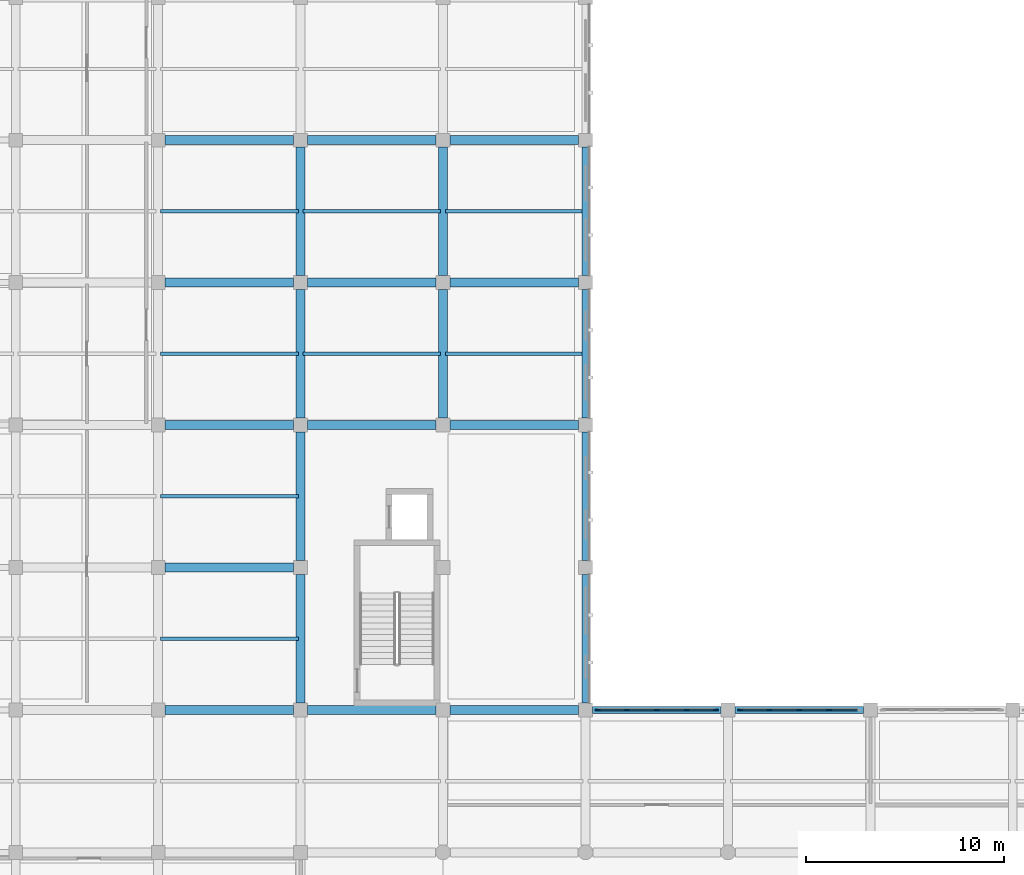
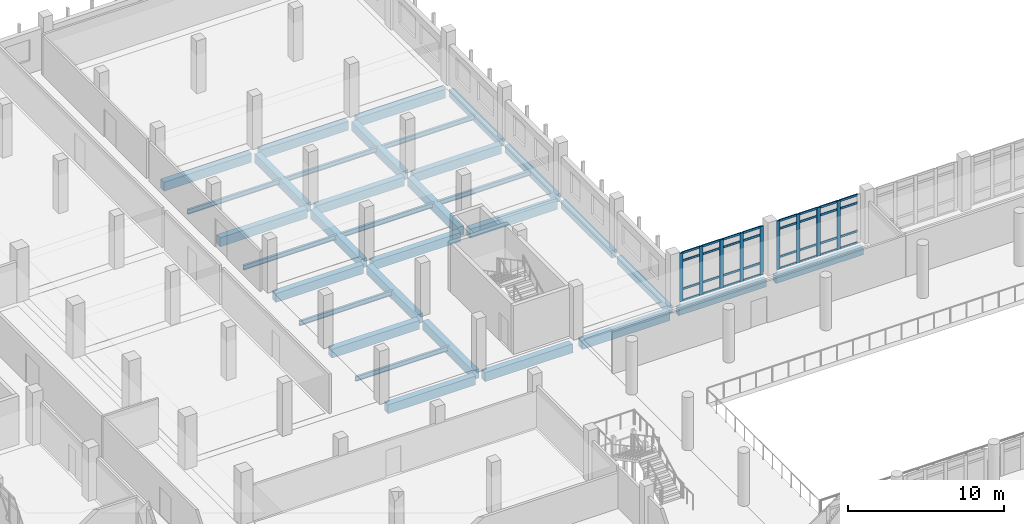
# One storey, part 17 of 57: 41 members, 33 beams, 2 elements without a shape of their own.
"""IFC4 building model written with IfcOpenShell, lengths in metres."""

from ifc_helpers import new_model, si_unit, direction, frame, origin, origin_2d, place, context, subcontext, project, spatial, rectangle, i_section, extrude, material, layer, layer_set, material_profile, profile_set, type_object, element, aggregate, save


model = new_model("IFC4")

# Units and contexts
model_context = context("Model", 3, precision=1e-05, world=origin(), true_north=direction((0.0, 1.0)))
body_context = subcontext(model_context, "Body", "Model", "MODEL_VIEW")
ifc_project = project(units=[si_unit("LENGTHUNIT", "METRE"), si_unit("AREAUNIT", "SQUARE_METRE"), si_unit("VOLUMEUNIT", "CUBIC_METRE"), si_unit("PLANEANGLEUNIT", "RADIAN"), si_unit("MASSUNIT", "GRAM", prefix="KILO")], contexts=[model_context])

# Site, building, storey
site_placement = place(None, origin())
site = spatial("IfcSite", under=ifc_project, at=site_placement, CompositionType="ELEMENT")
building_placement = place(site_placement, origin())
building = spatial("IfcBuilding", under=site, at=building_placement, Name="Valkovuoma Quantum and Materials Research Institute", CompositionType="ELEMENT")
storey_placement = place(building_placement, frame((0.0, 0.0, 4.800048828125)))
storey = spatial("IfcBuildingStorey", under=building, at=storey_placement, Name="L01", CompositionType="ELEMENT", Elevation=4.800048828125)

# Beams
ifc_material_1 = material(Name="Steel S355J2", Category="steel")
ifc_material_profile_1 = material_profile(ifc_material_1, i_section(OverallWidth=0.169921875, OverallDepth=0.360107421875, WebThickness=0.008056640625, FlangeThickness=0.0126953125, FilletRadius=0.01806640625, at=origin_2d()), Name="Steel S355J2")
ifc_profile_set_1 = profile_set([ifc_material_profile_1], Name="Steel S355J2")
beam_type_1 = type_object("IfcBeamType", Name="Beam-B-JST360", PredefinedType="JOIST", material=ifc_profile_set_1)
for number, where, z_axis, x_axis, name in (
    (1, (28.919921875, 68.39990234375, -0.530029296875), (1.0, 0.0, 0.0), (0.0, 1.0, 0.0), "L01 floor joist 0927"),
    (2, (28.919921875, 75.60009765625, -0.530029296875), (1.0, 0.0, 0.0), (0.0, 1.0, 0.0), "L01 floor joist 0934"),
    (3, (28.919921875, 82.800048828125, -0.530029296875), (1.0, 0.0, 0.0), (0.0, 1.0, 0.0), "L01 floor joist 0942"),
    (4, (36.1201171875, 82.800048828125, -0.530029296875), (1.0, 0.0, 0.0), (0.0, 1.0, 0.0), "L01 floor joist 0943"),
    (5, (43.320068359375, 82.800048828125, -0.530029296875), (1.0, 0.0, 0.0), (0.0, 1.0, 0.0), "L01 floor joist 0944"),
    (6, (28.919921875, 90.0, -0.530029296875), (1.0, 0.0, 0.0), (0.0, 1.0, 0.0), "L01 floor joist 0954"),
    (7, (36.1201171875, 90.0, -0.530029296875), (1.0, 0.0, 0.0), (0.0, 1.0, 0.0), "L01 floor joist 0955"),
    (8, (43.320068359375, 90.0, -0.530029296875), (1.0, 0.0, 0.0), (0.0, 1.0, 0.0), "L01 floor joist 0956"),
):
    element("IfcBeam", number, at=place(storey_placement, frame(where, z_axis=z_axis, x_axis=x_axis)), inside=storey, type_object=beam_type_1, Name=name, PredefinedType="JOIST", context=body_context, shape_type="SweptSolid", body=[
        extrude(i_section(OverallWidth=0.169921875, OverallDepth=0.360107421875, WebThickness=0.008056640625, FlangeThickness=0.0126953125, FilletRadius=0.01806640625, at=origin_2d()), origin(), (0.0, 0.0, 1.0), 6.9599609375),
    ])
ifc_material_2 = material(Name="Concrete C40/50", Category="concrete")
ifc_material_profile_2 = material_profile(ifc_material_2, rectangle(XDim=0.449951171875, YDim=0.699951171875, at=origin_2d()), Name="Concrete C40/50")
ifc_profile_set_2 = profile_set([ifc_material_profile_2], Name="Concrete C40/50")
beam_type_2 = type_object("IfcBeamType", Name="Beam-B-RC700", PredefinedType="BEAM", material=ifc_profile_set_2)
for number, where, z_axis, x_axis, name in (
    (9, (29.14990234375, 64.800048828125, -0.699951171875), (1.0, 0.0, 0.0), (0.0, 1.0, 0.0), "L01 beam X-0632"),
    (10, (36.35009765625, 64.800048828125, -0.699951171875), (1.0, 0.0, 0.0), (0.0, 1.0, 0.0), "L01 beam X-0633"),
    (11, (43.550048828125, 64.800048828125, -0.699951171875), (1.0, 0.0, 0.0), (0.0, 1.0, 0.0), "L01 beam X-0634"),
    (12, (29.14990234375, 72.0, -0.699951171875), (1.0, 0.0, 0.0), (0.0, 1.0, 0.0), "L01 beam X-0651"),
    (13, (29.14990234375, 79.199951171875, -0.699951171875), (1.0, 0.0, 0.0), (0.0, 1.0, 0.0), "L01 beam X-0659"),
    (14, (36.35009765625, 79.199951171875, -0.699951171875), (1.0, 0.0, 0.0), (0.0, 1.0, 0.0), "L01 beam X-0660"),
    (15, (43.550048828125, 79.199951171875, -0.699951171875), (1.0, 0.0, 0.0), (0.0, 1.0, 0.0), "L01 beam X-0661"),
    (16, (29.14990234375, 86.39990234375, -0.699951171875), (1.0, 0.0, 0.0), (0.0, 1.0, 0.0), "L01 beam X-0671"),
    (17, (36.35009765625, 86.39990234375, -0.699951171875), (1.0, 0.0, 0.0), (0.0, 1.0, 0.0), "L01 beam X-0672"),
    (18, (43.550048828125, 86.39990234375, -0.699951171875), (1.0, 0.0, 0.0), (0.0, 1.0, 0.0), "L01 beam X-0673"),
    (19, (29.14990234375, 93.60009765625, -0.699951171875), (1.0, 0.0, 0.0), (0.0, 1.0, 0.0), "L01 beam X-0683"),
    (20, (36.35009765625, 93.60009765625, -0.699951171875), (1.0, 0.0, 0.0), (0.0, 1.0, 0.0), "L01 beam X-0684"),
    (21, (43.550048828125, 93.60009765625, -0.699951171875), (1.0, 0.0, 0.0), (0.0, 1.0, 0.0), "L01 beam X-0685"),
    (22, (36.0, 65.14990234375, -0.699951171875), (0.0, 1.0, 0.0), (-1.0, 0.0, 0.0), "L01 beam Y-0755"),
    (23, (36.0, 72.35009765625, -0.699951171875), (0.0, 1.0, 0.0), (-1.0, 0.0, 0.0), "L01 beam Y-0756"),
    (24, (36.0, 79.550048828125, -0.699951171875), (0.0, 1.0, 0.0), (-1.0, 0.0, 0.0), "L01 beam Y-0757"),
    (25, (36.0, 86.75, -0.699951171875), (0.0, 1.0, 0.0), (-1.0, 0.0, 0.0), "L01 beam Y-0758"),
    (26, (43.199951171875, 79.550048828125, -0.699951171875), (0.0, 1.0, 0.0), (-1.0, 0.0, 0.0), "L01 beam Y-0763"),
    (27, (43.199951171875, 86.75, -0.699951171875), (0.0, 1.0, 0.0), (-1.0, 0.0, 0.0), "L01 beam Y-0764"),
):
    element("IfcBeam", number, at=place(storey_placement, frame(where, z_axis=z_axis, x_axis=x_axis)), inside=storey, type_object=beam_type_2, Name=name, PredefinedType="BEAM", context=body_context, shape_type="SweptSolid", body=[
        extrude(rectangle(XDim=0.449951171875, YDim=0.699951171875, at=origin_2d()), origin(), (0.0, 0.0, 1.0), 6.5),
    ])
ifc_material_3 = material(Name="Concrete C40/50", Category="concrete")
ifc_material_profile_3 = material_profile(ifc_material_3, rectangle(XDim=0.35009765625, YDim=0.60009765625, at=origin_2d()), Name="Concrete C40/50")
ifc_profile_set_3 = profile_set([ifc_material_profile_3], Name="Concrete C40/50")
beam_type_3 = type_object("IfcBeamType", Name="Beam-B-SPN600", PredefinedType="SPANDREL", material=ifc_profile_set_3)
for number, where, z_axis, x_axis, name in (
    (28, (50.75, 64.800048828125, -0.650146484375), (1.0, 0.0, 0.0), (0.0, 1.0, 0.0), "L01 beam X-0635"),
    (29, (57.949951171875, 64.800048828125, -0.650146484375), (1.0, 0.0, 0.0), (0.0, 1.0, 0.0), "L01 beam X-0636"),
    (30, (50.39990234375, 65.14990234375, -0.650146484375), (0.0, 1.0, 0.0), (-1.0, 0.0, 0.0), "L01 beam Y-0768"),
    (31, (50.39990234375, 72.35009765625, -0.650146484375), (0.0, 1.0, 0.0), (-1.0, 0.0, 0.0), "L01 beam Y-0769"),
    (32, (50.39990234375, 79.550048828125, -0.650146484375), (0.0, 1.0, 0.0), (-1.0, 0.0, 0.0), "L01 beam Y-0770"),
    (33, (50.39990234375, 86.75, -0.650146484375), (0.0, 1.0, 0.0), (-1.0, 0.0, 0.0), "L01 beam Y-0771"),
):
    element("IfcBeam", number, at=place(storey_placement, frame(where, z_axis=z_axis, x_axis=x_axis)), inside=storey, type_object=beam_type_3, Name=name, PredefinedType="SPANDREL", context=body_context, shape_type="SweptSolid", body=[
        extrude(rectangle(XDim=0.35009765625, YDim=0.60009765625, at=origin_2d()), origin(), (0.0, 0.0, 1.0), 6.5),
    ])

# Curtain wall, members
ifc_material_4 = material(Name="Thermally broken aluminium and triple low-E glazing", Category="aluminium")
ifc_layer = layer(ifc_material_4, 0.219970703125)
ifc_layer_set = layer_set([ifc_layer], Name="Thermally broken aluminium and triple low-E glazing")
curtain_wall_type = type_object("IfcCurtainWallType", Name="CW-CW-02", PredefinedType="NOTDEFINED", material=ifc_layer_set)
curtain_wall_1_placement = place(storey_placement, origin())
curtain_wall_1 = element("IfcCurtainWall", 34, at=curtain_wall_1_placement, inside=storey, type_object=curtain_wall_type, Name="L01 curtain wall 171", PredefinedType="NOTDEFINED")
ifc_material_5 = material(Name="Anodised aluminium 6060-T66", Category="aluminium")
ifc_material_profile_4 = material_profile(ifc_material_5, rectangle(XDim=0.080078125, YDim=0.260009765625, at=origin_2d()), Name="Anodised aluminium 6060-T66")
ifc_profile_set_4 = profile_set([ifc_material_profile_4], Name="Anodised aluminium 6060-T66")
member_type_1 = type_object("IfcMemberType", Name="CWMull-CWM-03", PredefinedType="MULLION", material=ifc_profile_set_4)
member_1_placement = place(storey_placement, frame((51.02001953125, 64.800048828125, 0.0), z_axis=(0.0, 0.0, 1.0), x_axis=(0.0, 1.0, 0.0)))
member_1 = element("IfcMember", 35, at=member_1_placement, type_object=member_type_1, Name="CW-02 mullion 1", PredefinedType="MULLION", context=body_context, shape_type="SweptSolid", body=[
    extrude(rectangle(XDim=0.080078125, YDim=0.260009765625, at=origin_2d()), origin(), (0.0, 0.0, 1.0), 3.81005859375),
])
member_2_placement = place(storey_placement, frame((52.489990234375, 64.800048828125, 0.0), z_axis=(0.0, 0.0, 1.0), x_axis=(0.0, 1.0, 0.0)))
member_2 = element("IfcMember", 36, at=member_2_placement, type_object=member_type_1, Name="CW-02 mullion 2", PredefinedType="MULLION", context=body_context, shape_type="SweptSolid", body=[
    extrude(rectangle(XDim=0.080078125, YDim=0.260009765625, at=origin_2d()), origin(), (0.0, 0.0, 1.0), 3.81005859375),
])
member_3_placement = place(storey_placement, frame((54.0, 64.800048828125, 0.0), z_axis=(0.0, 0.0, 1.0), x_axis=(0.0, 1.0, 0.0)))
member_3 = element("IfcMember", 37, at=member_3_placement, type_object=member_type_1, Name="CW-02 mullion 3", PredefinedType="MULLION", context=body_context, shape_type="SweptSolid", body=[
    extrude(rectangle(XDim=0.080078125, YDim=0.260009765625, at=origin_2d()), origin(), (0.0, 0.0, 1.0), 3.81005859375),
])
member_4_placement = place(storey_placement, frame((55.510009765625, 64.800048828125, 0.0), z_axis=(0.0, 0.0, 1.0), x_axis=(0.0, 1.0, 0.0)))
member_4 = element("IfcMember", 38, at=member_4_placement, type_object=member_type_1, Name="CW-02 mullion 4", PredefinedType="MULLION", context=body_context, shape_type="SweptSolid", body=[
    extrude(rectangle(XDim=0.080078125, YDim=0.260009765625, at=origin_2d()), origin(), (0.0, 0.0, 1.0), 3.81005859375),
])
member_5_placement = place(storey_placement, frame((56.97998046875, 64.800048828125, 0.0), z_axis=(0.0, 0.0, 1.0), x_axis=(0.0, 1.0, 0.0)))
member_5 = element("IfcMember", 39, at=member_5_placement, type_object=member_type_1, Name="CW-02 mullion 5", PredefinedType="MULLION", context=body_context, shape_type="SweptSolid", body=[
    extrude(rectangle(XDim=0.080078125, YDim=0.260009765625, at=origin_2d()), origin(), (0.0, 0.0, 1.0), 3.81005859375),
])

curtain_wall_2_placement = place(storey_placement, origin())
curtain_wall_2 = element("IfcCurtainWall", 40, at=curtain_wall_2_placement, inside=storey, type_object=curtain_wall_type, Name="L01 curtain wall 172", PredefinedType="NOTDEFINED")
member_6_placement = place(storey_placement, frame((58.219970703125, 64.800048828125, 0.0), z_axis=(0.0, 0.0, 1.0), x_axis=(0.0, 1.0, 0.0)))
member_6 = element("IfcMember", 41, at=member_6_placement, type_object=member_type_1, Name="CW-02 mullion 1", PredefinedType="MULLION", context=body_context, shape_type="SweptSolid", body=[
    extrude(rectangle(XDim=0.080078125, YDim=0.260009765625, at=origin_2d()), origin(), (0.0, 0.0, 1.0), 3.81005859375),
])
member_7_placement = place(storey_placement, frame((59.68994140625, 64.800048828125, 0.0), z_axis=(0.0, 0.0, 1.0), x_axis=(0.0, 1.0, 0.0)))
member_7 = element("IfcMember", 42, at=member_7_placement, type_object=member_type_1, Name="CW-02 mullion 2", PredefinedType="MULLION", context=body_context, shape_type="SweptSolid", body=[
    extrude(rectangle(XDim=0.080078125, YDim=0.260009765625, at=origin_2d()), origin(), (0.0, 0.0, 1.0), 3.81005859375),
])
member_8_placement = place(storey_placement, frame((61.199951171875, 64.800048828125, 0.0), z_axis=(0.0, 0.0, 1.0), x_axis=(0.0, 1.0, 0.0)))
member_8 = element("IfcMember", 43, at=member_8_placement, type_object=member_type_1, Name="CW-02 mullion 3", PredefinedType="MULLION", context=body_context, shape_type="SweptSolid", body=[
    extrude(rectangle(XDim=0.080078125, YDim=0.260009765625, at=origin_2d()), origin(), (0.0, 0.0, 1.0), 3.81005859375),
])
member_9_placement = place(storey_placement, frame((62.7099609375, 64.800048828125, 0.0), z_axis=(0.0, 0.0, 1.0), x_axis=(0.0, 1.0, 0.0)))
member_9 = element("IfcMember", 44, at=member_9_placement, type_object=member_type_1, Name="CW-02 mullion 4", PredefinedType="MULLION", context=body_context, shape_type="SweptSolid", body=[
    extrude(rectangle(XDim=0.080078125, YDim=0.260009765625, at=origin_2d()), origin(), (0.0, 0.0, 1.0), 3.81005859375),
])

# Member
ifc_material_6 = material(Name="Anodised aluminium 6060-T66", Category="aluminium")
ifc_material_profile_5 = material_profile(ifc_material_6, rectangle(XDim=0.074951171875, YDim=0.159912109375, at=origin_2d()), Name="Anodised aluminium 6060-T66")
ifc_profile_set_5 = profile_set([ifc_material_profile_5], Name="Anodised aluminium 6060-T66")
member_type_2 = type_object("IfcMemberType", Name="CWTran-CWT-02", PredefinedType="USERDEFINED", material=ifc_profile_set_5)
member_10_placement = place(storey_placement, frame((51.06005859375, 64.800048828125, 0.037353515625), z_axis=(1.0, 0.0, 0.0), x_axis=(0.0, 1.0, 0.0)))
member_10 = element("IfcMember", 45, at=member_10_placement, type_object=member_type_2, Name="CW-02 transom 1.1", ObjectType="TRANSOM", PredefinedType="USERDEFINED", context=body_context, shape_type="SweptSolid", body=[
    extrude(rectangle(XDim=0.074951171875, YDim=0.159912109375, at=origin_2d()), origin(), (0.0, 0.0, 1.0), 1.389892578125),
])

member_11_placement = place(storey_placement, frame((51.06005859375, 64.800048828125, 0.949951171875), z_axis=(1.0, 0.0, 0.0), x_axis=(0.0, 1.0, 0.0)))
member_11 = element("IfcMember", 46, at=member_11_placement, type_object=member_type_2, Name="CW-02 transom 1.2", ObjectType="TRANSOM", PredefinedType="USERDEFINED", context=body_context, shape_type="SweptSolid", body=[
    extrude(rectangle(XDim=0.074951171875, YDim=0.159912109375, at=origin_2d()), origin(), (0.0, 0.0, 1.0), 1.389892578125),
])

member_12_placement = place(storey_placement, frame((51.06005859375, 64.800048828125, 3.159912109375), z_axis=(1.0, 0.0, 0.0), x_axis=(0.0, 1.0, 0.0)))
member_12 = element("IfcMember", 47, at=member_12_placement, type_object=member_type_2, Name="CW-02 transom 1.3", ObjectType="TRANSOM", PredefinedType="USERDEFINED", context=body_context, shape_type="SweptSolid", body=[
    extrude(rectangle(XDim=0.074951171875, YDim=0.159912109375, at=origin_2d()), origin(), (0.0, 0.0, 1.0), 1.389892578125),
])

member_13_placement = place(storey_placement, frame((51.06005859375, 64.800048828125, 3.7724609375), z_axis=(1.0, 0.0, 0.0), x_axis=(0.0, 1.0, 0.0)))
member_13 = element("IfcMember", 48, at=member_13_placement, type_object=member_type_2, Name="CW-02 transom 1.4", ObjectType="TRANSOM", PredefinedType="USERDEFINED", context=body_context, shape_type="SweptSolid", body=[
    extrude(rectangle(XDim=0.074951171875, YDim=0.159912109375, at=origin_2d()), origin(), (0.0, 0.0, 1.0), 1.389892578125),
])

member_14_placement = place(storey_placement, frame((52.530029296875, 64.800048828125, 0.037353515625), z_axis=(1.0, 0.0, 0.0), x_axis=(0.0, 1.0, 0.0)))
member_14 = element("IfcMember", 49, at=member_14_placement, type_object=member_type_2, Name="CW-02 transom 2.1", ObjectType="TRANSOM", PredefinedType="USERDEFINED", context=body_context, shape_type="SweptSolid", body=[
    extrude(rectangle(XDim=0.074951171875, YDim=0.159912109375, at=origin_2d()), origin(), (0.0, 0.0, 1.0), 1.429931640625),
])

member_15_placement = place(storey_placement, frame((52.530029296875, 64.800048828125, 0.949951171875), z_axis=(1.0, 0.0, 0.0), x_axis=(0.0, 1.0, 0.0)))
member_15 = element("IfcMember", 50, at=member_15_placement, type_object=member_type_2, Name="CW-02 transom 2.2", ObjectType="TRANSOM", PredefinedType="USERDEFINED", context=body_context, shape_type="SweptSolid", body=[
    extrude(rectangle(XDim=0.074951171875, YDim=0.159912109375, at=origin_2d()), origin(), (0.0, 0.0, 1.0), 1.429931640625),
])

member_16_placement = place(storey_placement, frame((52.530029296875, 64.800048828125, 3.159912109375), z_axis=(1.0, 0.0, 0.0), x_axis=(0.0, 1.0, 0.0)))
member_16 = element("IfcMember", 51, at=member_16_placement, type_object=member_type_2, Name="CW-02 transom 2.3", ObjectType="TRANSOM", PredefinedType="USERDEFINED", context=body_context, shape_type="SweptSolid", body=[
    extrude(rectangle(XDim=0.074951171875, YDim=0.159912109375, at=origin_2d()), origin(), (0.0, 0.0, 1.0), 1.429931640625),
])

member_17_placement = place(storey_placement, frame((52.530029296875, 64.800048828125, 3.7724609375), z_axis=(1.0, 0.0, 0.0), x_axis=(0.0, 1.0, 0.0)))
member_17 = element("IfcMember", 52, at=member_17_placement, type_object=member_type_2, Name="CW-02 transom 2.4", ObjectType="TRANSOM", PredefinedType="USERDEFINED", context=body_context, shape_type="SweptSolid", body=[
    extrude(rectangle(XDim=0.074951171875, YDim=0.159912109375, at=origin_2d()), origin(), (0.0, 0.0, 1.0), 1.429931640625),
])

member_18_placement = place(storey_placement, frame((54.0400390625, 64.800048828125, 0.037353515625), z_axis=(1.0, 0.0, 0.0), x_axis=(0.0, 1.0, 0.0)))
member_18 = element("IfcMember", 53, at=member_18_placement, type_object=member_type_2, Name="CW-02 transom 3.1", ObjectType="TRANSOM", PredefinedType="USERDEFINED", context=body_context, shape_type="SweptSolid", body=[
    extrude(rectangle(XDim=0.074951171875, YDim=0.159912109375, at=origin_2d()), origin(), (0.0, 0.0, 1.0), 1.429931640625),
])

member_19_placement = place(storey_placement, frame((54.0400390625, 64.800048828125, 0.949951171875), z_axis=(1.0, 0.0, 0.0), x_axis=(0.0, 1.0, 0.0)))
member_19 = element("IfcMember", 54, at=member_19_placement, type_object=member_type_2, Name="CW-02 transom 3.2", ObjectType="TRANSOM", PredefinedType="USERDEFINED", context=body_context, shape_type="SweptSolid", body=[
    extrude(rectangle(XDim=0.074951171875, YDim=0.159912109375, at=origin_2d()), origin(), (0.0, 0.0, 1.0), 1.429931640625),
])

member_20_placement = place(storey_placement, frame((54.0400390625, 64.800048828125, 3.159912109375), z_axis=(1.0, 0.0, 0.0), x_axis=(0.0, 1.0, 0.0)))
member_20 = element("IfcMember", 55, at=member_20_placement, type_object=member_type_2, Name="CW-02 transom 3.3", ObjectType="TRANSOM", PredefinedType="USERDEFINED", context=body_context, shape_type="SweptSolid", body=[
    extrude(rectangle(XDim=0.074951171875, YDim=0.159912109375, at=origin_2d()), origin(), (0.0, 0.0, 1.0), 1.429931640625),
])

member_21_placement = place(storey_placement, frame((54.0400390625, 64.800048828125, 3.7724609375), z_axis=(1.0, 0.0, 0.0), x_axis=(0.0, 1.0, 0.0)))
member_21 = element("IfcMember", 56, at=member_21_placement, type_object=member_type_2, Name="CW-02 transom 3.4", ObjectType="TRANSOM", PredefinedType="USERDEFINED", context=body_context, shape_type="SweptSolid", body=[
    extrude(rectangle(XDim=0.074951171875, YDim=0.159912109375, at=origin_2d()), origin(), (0.0, 0.0, 1.0), 1.429931640625),
])

member_22_placement = place(storey_placement, frame((55.550048828125, 64.800048828125, 0.037353515625), z_axis=(1.0, 0.0, 0.0), x_axis=(0.0, 1.0, 0.0)))
member_22 = element("IfcMember", 57, at=member_22_placement, type_object=member_type_2, Name="CW-02 transom 4.1", ObjectType="TRANSOM", PredefinedType="USERDEFINED", context=body_context, shape_type="SweptSolid", body=[
    extrude(rectangle(XDim=0.074951171875, YDim=0.159912109375, at=origin_2d()), origin(), (0.0, 0.0, 1.0), 1.389892578125),
])

member_23_placement = place(storey_placement, frame((55.550048828125, 64.800048828125, 0.949951171875), z_axis=(1.0, 0.0, 0.0), x_axis=(0.0, 1.0, 0.0)))
member_23 = element("IfcMember", 58, at=member_23_placement, type_object=member_type_2, Name="CW-02 transom 4.2", ObjectType="TRANSOM", PredefinedType="USERDEFINED", context=body_context, shape_type="SweptSolid", body=[
    extrude(rectangle(XDim=0.074951171875, YDim=0.159912109375, at=origin_2d()), origin(), (0.0, 0.0, 1.0), 1.389892578125),
])

member_24_placement = place(storey_placement, frame((55.550048828125, 64.800048828125, 3.159912109375), z_axis=(1.0, 0.0, 0.0), x_axis=(0.0, 1.0, 0.0)))
member_24 = element("IfcMember", 59, at=member_24_placement, type_object=member_type_2, Name="CW-02 transom 4.3", ObjectType="TRANSOM", PredefinedType="USERDEFINED", context=body_context, shape_type="SweptSolid", body=[
    extrude(rectangle(XDim=0.074951171875, YDim=0.159912109375, at=origin_2d()), origin(), (0.0, 0.0, 1.0), 1.389892578125),
])

member_25_placement = place(storey_placement, frame((55.550048828125, 64.800048828125, 3.7724609375), z_axis=(1.0, 0.0, 0.0), x_axis=(0.0, 1.0, 0.0)))
member_25 = element("IfcMember", 60, at=member_25_placement, type_object=member_type_2, Name="CW-02 transom 4.4", ObjectType="TRANSOM", PredefinedType="USERDEFINED", context=body_context, shape_type="SweptSolid", body=[
    extrude(rectangle(XDim=0.074951171875, YDim=0.159912109375, at=origin_2d()), origin(), (0.0, 0.0, 1.0), 1.389892578125),
])

aggregate(curtain_wall_1, [member_1, member_2, member_3, member_4, member_5, member_10, member_11, member_12, member_13, member_14, member_15, member_16, member_17, member_18, member_19, member_20, member_21, member_22, member_23, member_24, member_25])

member_26_placement = place(storey_placement, frame((58.260009765625, 64.800048828125, 0.037353515625), z_axis=(1.0, 0.0, 0.0), x_axis=(0.0, 1.0, 0.0)))
member_26 = element("IfcMember", 61, at=member_26_placement, type_object=member_type_2, Name="CW-02 transom 1.1", ObjectType="TRANSOM", PredefinedType="USERDEFINED", context=body_context, shape_type="SweptSolid", body=[
    extrude(rectangle(XDim=0.074951171875, YDim=0.159912109375, at=origin_2d()), origin(), (0.0, 0.0, 1.0), 1.389892578125),
])

member_27_placement = place(storey_placement, frame((58.260009765625, 64.800048828125, 0.949951171875), z_axis=(1.0, 0.0, 0.0), x_axis=(0.0, 1.0, 0.0)))
member_27 = element("IfcMember", 62, at=member_27_placement, type_object=member_type_2, Name="CW-02 transom 1.2", ObjectType="TRANSOM", PredefinedType="USERDEFINED", context=body_context, shape_type="SweptSolid", body=[
    extrude(rectangle(XDim=0.074951171875, YDim=0.159912109375, at=origin_2d()), origin(), (0.0, 0.0, 1.0), 1.389892578125),
])

member_28_placement = place(storey_placement, frame((58.260009765625, 64.800048828125, 3.159912109375), z_axis=(1.0, 0.0, 0.0), x_axis=(0.0, 1.0, 0.0)))
member_28 = element("IfcMember", 63, at=member_28_placement, type_object=member_type_2, Name="CW-02 transom 1.3", ObjectType="TRANSOM", PredefinedType="USERDEFINED", context=body_context, shape_type="SweptSolid", body=[
    extrude(rectangle(XDim=0.074951171875, YDim=0.159912109375, at=origin_2d()), origin(), (0.0, 0.0, 1.0), 1.389892578125),
])

member_29_placement = place(storey_placement, frame((58.260009765625, 64.800048828125, 3.7724609375), z_axis=(1.0, 0.0, 0.0), x_axis=(0.0, 1.0, 0.0)))
member_29 = element("IfcMember", 64, at=member_29_placement, type_object=member_type_2, Name="CW-02 transom 1.4", ObjectType="TRANSOM", PredefinedType="USERDEFINED", context=body_context, shape_type="SweptSolid", body=[
    extrude(rectangle(XDim=0.074951171875, YDim=0.159912109375, at=origin_2d()), origin(), (0.0, 0.0, 1.0), 1.389892578125),
])

member_30_placement = place(storey_placement, frame((59.72998046875, 64.800048828125, 0.037353515625), z_axis=(1.0, 0.0, 0.0), x_axis=(0.0, 1.0, 0.0)))
member_30 = element("IfcMember", 65, at=member_30_placement, type_object=member_type_2, Name="CW-02 transom 2.1", ObjectType="TRANSOM", PredefinedType="USERDEFINED", context=body_context, shape_type="SweptSolid", body=[
    extrude(rectangle(XDim=0.074951171875, YDim=0.159912109375, at=origin_2d()), origin(), (0.0, 0.0, 1.0), 1.429931640625),
])

member_31_placement = place(storey_placement, frame((59.72998046875, 64.800048828125, 0.949951171875), z_axis=(1.0, 0.0, 0.0), x_axis=(0.0, 1.0, 0.0)))
member_31 = element("IfcMember", 66, at=member_31_placement, type_object=member_type_2, Name="CW-02 transom 2.2", ObjectType="TRANSOM", PredefinedType="USERDEFINED", context=body_context, shape_type="SweptSolid", body=[
    extrude(rectangle(XDim=0.074951171875, YDim=0.159912109375, at=origin_2d()), origin(), (0.0, 0.0, 1.0), 1.429931640625),
])

member_32_placement = place(storey_placement, frame((59.72998046875, 64.800048828125, 3.159912109375), z_axis=(1.0, 0.0, 0.0), x_axis=(0.0, 1.0, 0.0)))
member_32 = element("IfcMember", 67, at=member_32_placement, type_object=member_type_2, Name="CW-02 transom 2.3", ObjectType="TRANSOM", PredefinedType="USERDEFINED", context=body_context, shape_type="SweptSolid", body=[
    extrude(rectangle(XDim=0.074951171875, YDim=0.159912109375, at=origin_2d()), origin(), (0.0, 0.0, 1.0), 1.429931640625),
])

member_33_placement = place(storey_placement, frame((59.72998046875, 64.800048828125, 3.7724609375), z_axis=(1.0, 0.0, 0.0), x_axis=(0.0, 1.0, 0.0)))
member_33 = element("IfcMember", 68, at=member_33_placement, type_object=member_type_2, Name="CW-02 transom 2.4", ObjectType="TRANSOM", PredefinedType="USERDEFINED", context=body_context, shape_type="SweptSolid", body=[
    extrude(rectangle(XDim=0.074951171875, YDim=0.159912109375, at=origin_2d()), origin(), (0.0, 0.0, 1.0), 1.429931640625),
])

member_34_placement = place(storey_placement, frame((61.239990234375, 64.800048828125, 0.037353515625), z_axis=(1.0, 0.0, 0.0), x_axis=(0.0, 1.0, 0.0)))
member_34 = element("IfcMember", 69, at=member_34_placement, type_object=member_type_2, Name="CW-02 transom 3.1", ObjectType="TRANSOM", PredefinedType="USERDEFINED", context=body_context, shape_type="SweptSolid", body=[
    extrude(rectangle(XDim=0.074951171875, YDim=0.159912109375, at=origin_2d()), origin(), (0.0, 0.0, 1.0), 1.429931640625),
])

member_35_placement = place(storey_placement, frame((61.239990234375, 64.800048828125, 0.949951171875), z_axis=(1.0, 0.0, 0.0), x_axis=(0.0, 1.0, 0.0)))
member_35 = element("IfcMember", 70, at=member_35_placement, type_object=member_type_2, Name="CW-02 transom 3.2", ObjectType="TRANSOM", PredefinedType="USERDEFINED", context=body_context, shape_type="SweptSolid", body=[
    extrude(rectangle(XDim=0.074951171875, YDim=0.159912109375, at=origin_2d()), origin(), (0.0, 0.0, 1.0), 1.429931640625),
])

member_36_placement = place(storey_placement, frame((61.239990234375, 64.800048828125, 3.159912109375), z_axis=(1.0, 0.0, 0.0), x_axis=(0.0, 1.0, 0.0)))
member_36 = element("IfcMember", 71, at=member_36_placement, type_object=member_type_2, Name="CW-02 transom 3.3", ObjectType="TRANSOM", PredefinedType="USERDEFINED", context=body_context, shape_type="SweptSolid", body=[
    extrude(rectangle(XDim=0.074951171875, YDim=0.159912109375, at=origin_2d()), origin(), (0.0, 0.0, 1.0), 1.429931640625),
])

member_37_placement = place(storey_placement, frame((61.239990234375, 64.800048828125, 3.7724609375), z_axis=(1.0, 0.0, 0.0), x_axis=(0.0, 1.0, 0.0)))
member_37 = element("IfcMember", 72, at=member_37_placement, type_object=member_type_2, Name="CW-02 transom 3.4", ObjectType="TRANSOM", PredefinedType="USERDEFINED", context=body_context, shape_type="SweptSolid", body=[
    extrude(rectangle(XDim=0.074951171875, YDim=0.159912109375, at=origin_2d()), origin(), (0.0, 0.0, 1.0), 1.429931640625),
])

member_38_placement = place(storey_placement, frame((62.75, 64.800048828125, 0.037353515625), z_axis=(1.0, 0.0, 0.0), x_axis=(0.0, 1.0, 0.0)))
member_38 = element("IfcMember", 73, at=member_38_placement, type_object=member_type_2, Name="CW-02 transom 4.1", ObjectType="TRANSOM", PredefinedType="USERDEFINED", context=body_context, shape_type="SweptSolid", body=[
    extrude(rectangle(XDim=0.074951171875, YDim=0.159912109375, at=origin_2d()), origin(), (0.0, 0.0, 1.0), 1.389892578125),
])

member_39_placement = place(storey_placement, frame((62.75, 64.800048828125, 0.949951171875), z_axis=(1.0, 0.0, 0.0), x_axis=(0.0, 1.0, 0.0)))
member_39 = element("IfcMember", 74, at=member_39_placement, type_object=member_type_2, Name="CW-02 transom 4.2", ObjectType="TRANSOM", PredefinedType="USERDEFINED", context=body_context, shape_type="SweptSolid", body=[
    extrude(rectangle(XDim=0.074951171875, YDim=0.159912109375, at=origin_2d()), origin(), (0.0, 0.0, 1.0), 1.389892578125),
])

member_40_placement = place(storey_placement, frame((62.75, 64.800048828125, 3.159912109375), z_axis=(1.0, 0.0, 0.0), x_axis=(0.0, 1.0, 0.0)))
member_40 = element("IfcMember", 75, at=member_40_placement, type_object=member_type_2, Name="CW-02 transom 4.3", ObjectType="TRANSOM", PredefinedType="USERDEFINED", context=body_context, shape_type="SweptSolid", body=[
    extrude(rectangle(XDim=0.074951171875, YDim=0.159912109375, at=origin_2d()), origin(), (0.0, 0.0, 1.0), 1.389892578125),
])

member_41_placement = place(storey_placement, frame((62.75, 64.800048828125, 3.7724609375), z_axis=(1.0, 0.0, 0.0), x_axis=(0.0, 1.0, 0.0)))
member_41 = element("IfcMember", 76, at=member_41_placement, type_object=member_type_2, Name="CW-02 transom 4.4", ObjectType="TRANSOM", PredefinedType="USERDEFINED", context=body_context, shape_type="SweptSolid", body=[
    extrude(rectangle(XDim=0.074951171875, YDim=0.159912109375, at=origin_2d()), origin(), (0.0, 0.0, 1.0), 1.389892578125),
])

aggregate(curtain_wall_2, [member_6, member_7, member_8, member_9, member_26, member_27, member_28, member_29, member_30, member_31, member_32, member_33, member_34, member_35, member_36, member_37, member_38, member_39, member_40, member_41])

save(model, "model.ifc")
